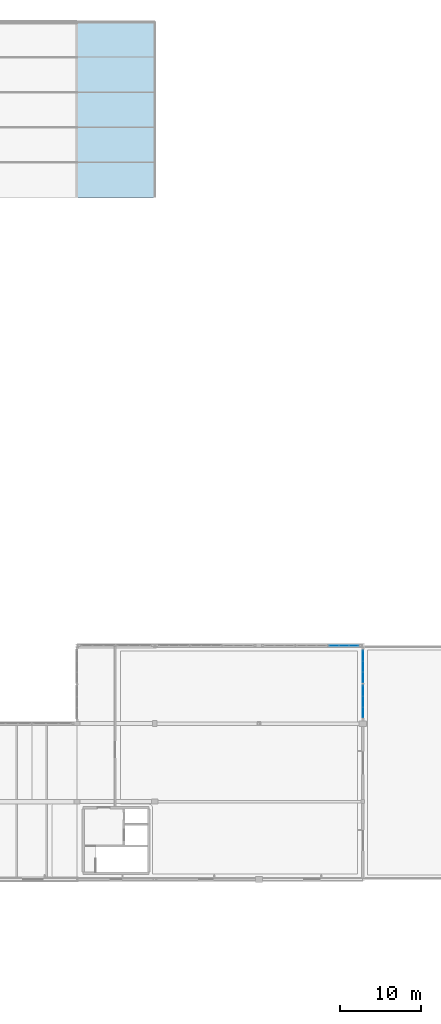
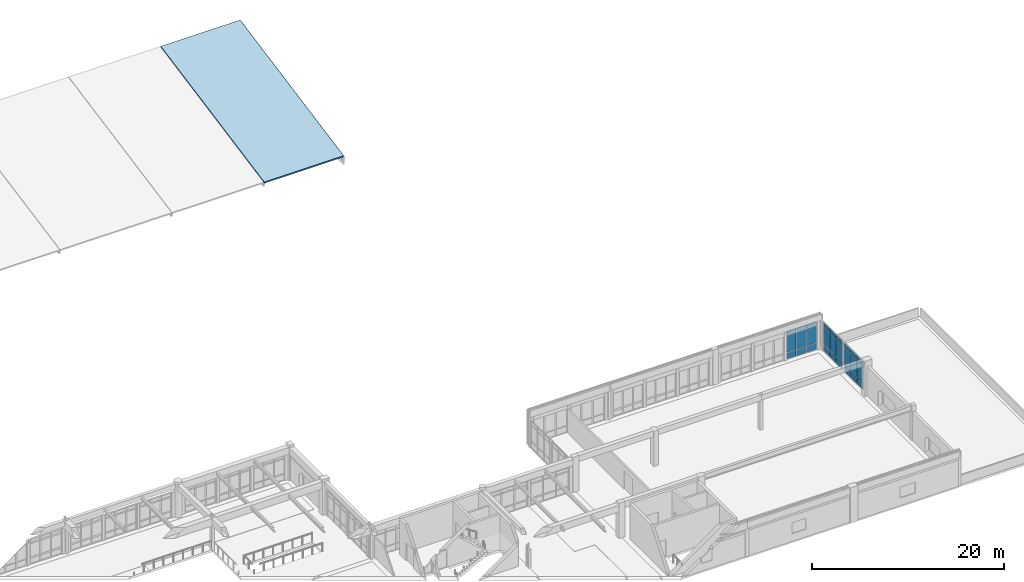
# One storey, part 58 of 80: 27 plates, 1 slab, 4 elements without a shape of their own.
"""IFC4 building model written with IfcOpenShell, lengths in metres."""

from ifc_helpers import new_model, si_unit, direction, frame, origin, origin_2d, place, context, subcontext, project, spatial, polyline, rectangle, outline, extrude, material, layer, layer_set, type_object, element, aggregate, save


model = new_model("IFC4")

# Units and contexts
model_context = context("Model", 3, precision=1e-05, world=origin(), true_north=direction((0.0, 1.0)))
body_context = subcontext(model_context, "Body", "Model", "MODEL_VIEW")
ifc_project = project(units=[si_unit("LENGTHUNIT", "METRE"), si_unit("AREAUNIT", "SQUARE_METRE"), si_unit("VOLUMEUNIT", "CUBIC_METRE"), si_unit("PLANEANGLEUNIT", "RADIAN"), si_unit("MASSUNIT", "GRAM", prefix="KILO")], contexts=[model_context])

# Site, building, storey
site_placement = place(None, origin())
site = spatial("IfcSite", under=ifc_project, at=site_placement, CompositionType="ELEMENT")
building_placement = place(site_placement, origin())
building = spatial("IfcBuilding", under=site, at=building_placement, Name="Fikremerkos Civic Library", CompositionType="ELEMENT")
storey_placement = place(building_placement, frame((0.0, 0.0, 9.89990234375)))
storey = spatial("IfcBuildingStorey", under=building, at=storey_placement, Name="L02", CompositionType="ELEMENT", Elevation=9.89990234375)

# Curtain wall, plates
ifc_material_1 = material(Name="Anodized aluminium Frame", Category="aluminium")
ifc_layer_1 = layer(ifc_material_1, 0.159912109375, Name="Anodized aluminium Frame")
ifc_layer_set_1 = layer_set([ifc_layer_1], Name="Anodized aluminium Frame")
curtain_wall_type_1 = type_object("IfcCurtainWallType", Name="Unitised curtain wall CW-02 3900x3600", PredefinedType="USERDEFINED", material=ifc_layer_set_1)
curtain_wall_1_placement = place(storey_placement, origin())
curtain_wall_1 = element("IfcCurtainWall", 1, at=curtain_wall_1_placement, inside=storey, type_object=curtain_wall_type_1, Name="Unitised curtain wall CW-02 L02 #182", ObjectType="UNITISED CURTAIN WALL", PredefinedType="USERDEFINED")
ifc_material_2 = material(Name="Solar control double glazing", Category="glass")
ifc_layer_2 = layer(ifc_material_2, 0.035888671875, Name="Solar control double glazing")
ifc_layer_set_2 = layer_set([ifc_layer_2], Name="Solar control double glazing")
plate_type_1 = type_object("IfcPlateType", Name="Curtain glazing panel CWP-02 36", PredefinedType="CURTAIN_PANEL", material=ifc_layer_set_2)
plate_1_placement = place(storey_placement, frame((156.46044921875, 40.800048828125, 0.070068359375), z_axis=(0.0, 0.0, 1.0), x_axis=(1.0, 0.0, 0.0)))
plate_1 = element("IfcPlate", 2, at=plate_1_placement, type_object=plate_type_1, Name="CW-02 panel 1.1", PredefinedType="CURTAIN_PANEL", context=body_context, shape_type="SweptSolid", body=[
    extrude(rectangle(XDim=1.132568359375, YDim=0.035888671875, at=origin_2d()), origin(), (0.0, 0.0, 1.0), 0.7451171875),
])
plate_2_placement = place(storey_placement, frame((156.46044921875, 40.800048828125, 0.88525390625), z_axis=(0.0, 0.0, 1.0), x_axis=(1.0, 0.0, 0.0)))
plate_2 = element("IfcPlate", 3, at=plate_2_placement, type_object=plate_type_1, Name="CW-02 panel 1.2", PredefinedType="CURTAIN_PANEL", context=body_context, shape_type="SweptSolid", body=[
    extrude(rectangle(XDim=1.132568359375, YDim=0.035888671875, at=origin_2d()), origin(), (0.0, 0.0, 1.0), 2.199951171875),
])
plate_3_placement = place(storey_placement, frame((156.46044921875, 40.800048828125, 3.1552734375), z_axis=(0.0, 0.0, 1.0), x_axis=(1.0, 0.0, 0.0)))
plate_3 = element("IfcPlate", 4, at=plate_3_placement, type_object=plate_type_1, Name="CW-02 panel 1.3", PredefinedType="CURTAIN_PANEL", context=body_context, shape_type="SweptSolid", body=[
    extrude(rectangle(XDim=1.132568359375, YDim=0.035888671875, at=origin_2d()), origin(), (0.0, 0.0, 1.0), 0.445068359375),
])
plate_4_placement = place(storey_placement, frame((157.66796875, 40.800048828125, 0.070068359375), z_axis=(0.0, 0.0, 1.0), x_axis=(1.0, 0.0, 0.0)))
plate_4 = element("IfcPlate", 5, at=plate_4_placement, type_object=plate_type_1, Name="CW-02 panel 2.1", PredefinedType="CURTAIN_PANEL", context=body_context, shape_type="SweptSolid", body=[
    extrude(rectangle(XDim=1.16259765625, YDim=0.035888671875, at=origin_2d()), origin(), (0.0, 0.0, 1.0), 0.7451171875),
])
plate_5_placement = place(storey_placement, frame((157.66796875, 40.800048828125, 0.88525390625), z_axis=(0.0, 0.0, 1.0), x_axis=(1.0, 0.0, 0.0)))
plate_5 = element("IfcPlate", 6, at=plate_5_placement, type_object=plate_type_1, Name="CW-02 panel 2.2", PredefinedType="CURTAIN_PANEL", context=body_context, shape_type="SweptSolid", body=[
    extrude(rectangle(XDim=1.16259765625, YDim=0.035888671875, at=origin_2d()), origin(), (0.0, 0.0, 1.0), 2.199951171875),
])
plate_6_placement = place(storey_placement, frame((157.66796875, 40.800048828125, 3.1552734375), z_axis=(0.0, 0.0, 1.0), x_axis=(1.0, 0.0, 0.0)))
plate_6 = element("IfcPlate", 7, at=plate_6_placement, type_object=plate_type_1, Name="CW-02 panel 2.3", PredefinedType="CURTAIN_PANEL", context=body_context, shape_type="SweptSolid", body=[
    extrude(rectangle(XDim=1.16259765625, YDim=0.035888671875, at=origin_2d()), origin(), (0.0, 0.0, 1.0), 0.445068359375),
])
plate_7_placement = place(storey_placement, frame((158.875732421875, 40.800048828125, 0.070068359375), z_axis=(0.0, 0.0, 1.0), x_axis=(1.0, 0.0, 0.0)))
plate_7 = element("IfcPlate", 8, at=plate_7_placement, type_object=plate_type_1, Name="CW-02 panel 3.1", PredefinedType="CURTAIN_PANEL", context=body_context, shape_type="SweptSolid", body=[
    extrude(rectangle(XDim=1.132568359375, YDim=0.035888671875, at=origin_2d()), origin(), (0.0, 0.0, 1.0), 0.7451171875),
])
plate_8_placement = place(storey_placement, frame((158.875732421875, 40.800048828125, 0.88525390625), z_axis=(0.0, 0.0, 1.0), x_axis=(1.0, 0.0, 0.0)))
plate_8 = element("IfcPlate", 9, at=plate_8_placement, type_object=plate_type_1, Name="CW-02 panel 3.2", PredefinedType="CURTAIN_PANEL", context=body_context, shape_type="SweptSolid", body=[
    extrude(rectangle(XDim=1.132568359375, YDim=0.035888671875, at=origin_2d()), origin(), (0.0, 0.0, 1.0), 2.199951171875),
])
plate_9_placement = place(storey_placement, frame((158.875732421875, 40.800048828125, 3.1552734375), z_axis=(0.0, 0.0, 1.0), x_axis=(1.0, 0.0, 0.0)))
plate_9 = element("IfcPlate", 10, at=plate_9_placement, type_object=plate_type_1, Name="CW-02 panel 3.3", PredefinedType="CURTAIN_PANEL", context=body_context, shape_type="SweptSolid", body=[
    extrude(rectangle(XDim=1.132568359375, YDim=0.035888671875, at=origin_2d()), origin(), (0.0, 0.0, 1.0), 0.445068359375),
])
aggregate(curtain_wall_1, [plate_1, plate_2, plate_3, plate_4, plate_5, plate_6, plate_7, plate_8, plate_9])

ifc_layer_3 = layer(ifc_material_1, 0.159912109375, Name="Anodized aluminium Frame")
ifc_layer_set_3 = layer_set([ifc_layer_3], Name="Anodized aluminium Frame")
curtain_wall_type_2 = type_object("IfcCurtainWallType", Name="Unitised curtain wall CW-03 4100x3600", PredefinedType="USERDEFINED", material=ifc_layer_set_3)
curtain_wall_2_placement = place(storey_placement, origin())
curtain_wall_2 = element("IfcCurtainWall", 11, at=curtain_wall_2_placement, inside=storey, type_object=curtain_wall_type_2, Name="Unitised curtain wall CW-03 L02 #183", ObjectType="UNITISED CURTAIN WALL", PredefinedType="USERDEFINED")
ifc_material_3 = material(Name="Insulated aluminium spandrel", Category="aluminium")
ifc_layer_4 = layer(ifc_material_3, 0.044921875, Name="Insulated aluminium spandrel")
ifc_layer_set_4 = layer_set([ifc_layer_4], Name="Insulated aluminium spandrel")
plate_type_2 = type_object("IfcPlateType", Name="Curtain spandrel panel CSP-01 45", PredefinedType="CURTAIN_PANEL", material=ifc_layer_set_4)
plate_10_placement = place(storey_placement, frame((160.0, 39.547607421875, 0.065185546875), z_axis=(0.0, 0.0, 1.0), x_axis=(0.0, -1.0, 0.0)))
plate_10 = element("IfcPlate", 12, at=plate_10_placement, type_object=plate_type_2, Name="CW-03 panel 1.1", PredefinedType="CURTAIN_PANEL", context=body_context, shape_type="SweptSolid", body=[
    extrude(rectangle(XDim=1.2490234375, YDim=0.044921875, at=origin_2d()), origin(), (0.0, 0.0, 1.0), 0.75244140625),
])
plate_11_placement = place(storey_placement, frame((160.0, 39.547607421875, 0.882568359375), z_axis=(0.0, 0.0, 1.0), x_axis=(0.0, -1.0, 0.0)))
plate_11 = element("IfcPlate", 13, at=plate_11_placement, type_object=plate_type_2, Name="CW-03 panel 1.2", PredefinedType="CURTAIN_PANEL", context=body_context, shape_type="SweptSolid", body=[
    extrude(rectangle(XDim=1.2490234375, YDim=0.044921875, at=origin_2d()), origin(), (0.0, 0.0, 1.0), 2.2548828125),
])
plate_12_placement = place(storey_placement, frame((160.0, 39.547607421875, 3.20263671875), z_axis=(0.0, 0.0, 1.0), x_axis=(0.0, -1.0, 0.0)))
plate_12 = element("IfcPlate", 14, at=plate_12_placement, type_object=plate_type_2, Name="CW-03 panel 1.3", PredefinedType="CURTAIN_PANEL", context=body_context, shape_type="SweptSolid", body=[
    extrude(rectangle(XDim=1.2490234375, YDim=0.044921875, at=origin_2d()), origin(), (0.0, 0.0, 1.0), 0.452392578125),
])
plate_13_placement = place(storey_placement, frame((160.0, 38.223388671875, 0.065185546875), z_axis=(0.0, 0.0, 1.0), x_axis=(0.0, -1.0, 0.0)))
plate_13 = element("IfcPlate", 15, at=plate_13_placement, type_object=plate_type_2, Name="CW-03 panel 2.1", PredefinedType="CURTAIN_PANEL", context=body_context, shape_type="SweptSolid", body=[
    extrude(rectangle(XDim=1.279052734375, YDim=0.044921875, at=origin_2d()), origin(), (0.0, 0.0, 1.0), 0.75244140625),
])
plate_14_placement = place(storey_placement, frame((160.0, 38.223388671875, 0.882568359375), z_axis=(0.0, 0.0, 1.0), x_axis=(0.0, -1.0, 0.0)))
plate_14 = element("IfcPlate", 16, at=plate_14_placement, type_object=plate_type_2, Name="CW-03 panel 2.2", PredefinedType="CURTAIN_PANEL", context=body_context, shape_type="SweptSolid", body=[
    extrude(rectangle(XDim=1.279052734375, YDim=0.044921875, at=origin_2d()), origin(), (0.0, 0.0, 1.0), 2.2548828125),
])
plate_15_placement = place(storey_placement, frame((160.0, 38.223388671875, 3.20263671875), z_axis=(0.0, 0.0, 1.0), x_axis=(0.0, -1.0, 0.0)))
plate_15 = element("IfcPlate", 17, at=plate_15_placement, type_object=plate_type_2, Name="CW-03 panel 2.3", PredefinedType="CURTAIN_PANEL", context=body_context, shape_type="SweptSolid", body=[
    extrude(rectangle(XDim=1.279052734375, YDim=0.044921875, at=origin_2d()), origin(), (0.0, 0.0, 1.0), 0.452392578125),
])
plate_16_placement = place(storey_placement, frame((160.0, 36.8994140625, 0.065185546875), z_axis=(0.0, 0.0, 1.0), x_axis=(0.0, -1.0, 0.0)))
plate_16 = element("IfcPlate", 18, at=plate_16_placement, type_object=plate_type_2, Name="CW-03 panel 3.1", PredefinedType="CURTAIN_PANEL", context=body_context, shape_type="SweptSolid", body=[
    extrude(rectangle(XDim=1.2490234375, YDim=0.044921875, at=origin_2d()), origin(), (0.0, 0.0, 1.0), 0.75244140625),
])
plate_17_placement = place(storey_placement, frame((160.0, 36.8994140625, 0.882568359375), z_axis=(0.0, 0.0, 1.0), x_axis=(0.0, -1.0, 0.0)))
plate_17 = element("IfcPlate", 19, at=plate_17_placement, type_object=plate_type_2, Name="CW-03 panel 3.2", PredefinedType="CURTAIN_PANEL", context=body_context, shape_type="SweptSolid", body=[
    extrude(rectangle(XDim=1.2490234375, YDim=0.044921875, at=origin_2d()), origin(), (0.0, 0.0, 1.0), 2.2548828125),
])
plate_18_placement = place(storey_placement, frame((160.0, 36.8994140625, 3.20263671875), z_axis=(0.0, 0.0, 1.0), x_axis=(0.0, -1.0, 0.0)))
plate_18 = element("IfcPlate", 20, at=plate_18_placement, type_object=plate_type_2, Name="CW-03 panel 3.3", PredefinedType="CURTAIN_PANEL", context=body_context, shape_type="SweptSolid", body=[
    extrude(rectangle(XDim=1.2490234375, YDim=0.044921875, at=origin_2d()), origin(), (0.0, 0.0, 1.0), 0.452392578125),
])
aggregate(curtain_wall_2, [plate_10, plate_11, plate_12, plate_13, plate_14, plate_15, plate_16, plate_17, plate_18])

ifc_layer_5 = layer(ifc_material_1, 0.159912109375, Name="Anodized aluminium Frame")
ifc_layer_set_5 = layer_set([ifc_layer_5], Name="Anodized aluminium Frame")
curtain_wall_type_3 = type_object("IfcCurtainWallType", Name="Unitised curtain wall CW-04 3400x3600", PredefinedType="USERDEFINED", material=ifc_layer_set_5)
curtain_wall_3_placement = place(storey_placement, origin())
curtain_wall_3 = element("IfcCurtainWall", 21, at=curtain_wall_3_placement, inside=storey, type_object=curtain_wall_type_3, Name="Unitised curtain wall CW-04 L02 #184", ObjectType="UNITISED CURTAIN WALL", PredefinedType="USERDEFINED")
ifc_layer_6 = layer(ifc_material_3, 0.054931640625, Name="Insulated aluminium spandrel")
ifc_layer_set_6 = layer_set([ifc_layer_6], Name="Insulated aluminium spandrel")
plate_type_3 = type_object("IfcPlateType", Name="Curtain spandrel panel CSP-02 55", PredefinedType="CURTAIN_PANEL", material=ifc_layer_set_6)
plate_19_placement = place(storey_placement, frame((160.0, 35.23046875, 0.065185546875), z_axis=(0.0, 0.0, 1.0), x_axis=(0.0, -1.0, 0.0)))
plate_19 = element("IfcPlate", 22, at=plate_19_placement, type_object=plate_type_3, Name="CW-04 panel 1.1", PredefinedType="CURTAIN_PANEL", context=body_context, shape_type="SweptSolid", body=[
    extrude(rectangle(XDim=1.2490234375, YDim=0.054931640625, at=origin_2d()), origin(), (0.0, 0.0, 1.0), 0.75244140625),
])
plate_20_placement = place(storey_placement, frame((160.0, 35.23046875, 0.882568359375), z_axis=(0.0, 0.0, 1.0), x_axis=(0.0, -1.0, 0.0)))
plate_20 = element("IfcPlate", 23, at=plate_20_placement, type_object=plate_type_3, Name="CW-04 panel 1.2", PredefinedType="CURTAIN_PANEL", context=body_context, shape_type="SweptSolid", body=[
    extrude(rectangle(XDim=1.2490234375, YDim=0.054931640625, at=origin_2d()), origin(), (0.0, 0.0, 1.0), 2.2548828125),
])
plate_21_placement = place(storey_placement, frame((160.0, 35.23046875, 3.20263671875), z_axis=(0.0, 0.0, 1.0), x_axis=(0.0, -1.0, 0.0)))
plate_21 = element("IfcPlate", 24, at=plate_21_placement, type_object=plate_type_3, Name="CW-04 panel 1.3", PredefinedType="CURTAIN_PANEL", context=body_context, shape_type="SweptSolid", body=[
    extrude(rectangle(XDim=1.2490234375, YDim=0.054931640625, at=origin_2d()), origin(), (0.0, 0.0, 1.0), 0.452392578125),
])
plate_22_placement = place(storey_placement, frame((160.0, 33.906494140625, 0.065185546875), z_axis=(0.0, 0.0, 1.0), x_axis=(0.0, -1.0, 0.0)))
plate_22 = element("IfcPlate", 25, at=plate_22_placement, type_object=plate_type_3, Name="CW-04 panel 2.1", PredefinedType="CURTAIN_PANEL", context=body_context, shape_type="SweptSolid", body=[
    extrude(rectangle(XDim=1.279052734375, YDim=0.054931640625, at=origin_2d()), origin(), (0.0, 0.0, 1.0), 0.75244140625),
])
plate_23_placement = place(storey_placement, frame((160.0, 33.906494140625, 0.882568359375), z_axis=(0.0, 0.0, 1.0), x_axis=(0.0, -1.0, 0.0)))
plate_23 = element("IfcPlate", 26, at=plate_23_placement, type_object=plate_type_3, Name="CW-04 panel 2.2", PredefinedType="CURTAIN_PANEL", context=body_context, shape_type="SweptSolid", body=[
    extrude(rectangle(XDim=1.279052734375, YDim=0.054931640625, at=origin_2d()), origin(), (0.0, 0.0, 1.0), 2.2548828125),
])
plate_24_placement = place(storey_placement, frame((160.0, 33.906494140625, 3.20263671875), z_axis=(0.0, 0.0, 1.0), x_axis=(0.0, -1.0, 0.0)))
plate_24 = element("IfcPlate", 27, at=plate_24_placement, type_object=plate_type_3, Name="CW-04 panel 2.3", PredefinedType="CURTAIN_PANEL", context=body_context, shape_type="SweptSolid", body=[
    extrude(rectangle(XDim=1.279052734375, YDim=0.054931640625, at=origin_2d()), origin(), (0.0, 0.0, 1.0), 0.452392578125),
])
plate_25_placement = place(storey_placement, frame((160.0, 32.58251953125, 0.065185546875), z_axis=(0.0, 0.0, 1.0), x_axis=(0.0, -1.0, 0.0)))
plate_25 = element("IfcPlate", 28, at=plate_25_placement, type_object=plate_type_3, Name="CW-04 panel 3.1", PredefinedType="CURTAIN_PANEL", context=body_context, shape_type="SweptSolid", body=[
    extrude(rectangle(XDim=1.2490234375, YDim=0.054931640625, at=origin_2d()), origin(), (0.0, 0.0, 1.0), 0.75244140625),
])
plate_26_placement = place(storey_placement, frame((160.0, 32.58251953125, 0.882568359375), z_axis=(0.0, 0.0, 1.0), x_axis=(0.0, -1.0, 0.0)))
plate_26 = element("IfcPlate", 29, at=plate_26_placement, type_object=plate_type_3, Name="CW-04 panel 3.2", PredefinedType="CURTAIN_PANEL", context=body_context, shape_type="SweptSolid", body=[
    extrude(rectangle(XDim=1.2490234375, YDim=0.054931640625, at=origin_2d()), origin(), (0.0, 0.0, 1.0), 2.2548828125),
])
plate_27_placement = place(storey_placement, frame((160.0, 32.58251953125, 3.20263671875), z_axis=(0.0, 0.0, 1.0), x_axis=(0.0, -1.0, 0.0)))
plate_27 = element("IfcPlate", 30, at=plate_27_placement, type_object=plate_type_3, Name="CW-04 panel 3.3", PredefinedType="CURTAIN_PANEL", context=body_context, shape_type="SweptSolid", body=[
    extrude(rectangle(XDim=1.2490234375, YDim=0.054931640625, at=origin_2d()), origin(), (0.0, 0.0, 1.0), 0.452392578125),
])
aggregate(curtain_wall_3, [plate_19, plate_20, plate_21, plate_22, plate_23, plate_24, plate_25, plate_26, plate_27])

# Roof, slab
ifc_material_4 = material(Name="Concrete C40/50", Category="concrete")
ifc_layer_7 = layer(ifc_material_4, 0.199951171875, Name="Concrete C40/50")
ifc_layer_set_7 = layer_set([ifc_layer_7], Name="Concrete C40/50")
roof_type = type_object("IfcRoofType", Name="Children pavilion north-light shed roof RF-SH", PredefinedType="SHED_ROOF", material=ifc_layer_set_7)
roof_placement = place(storey_placement, origin())
roof = element("IfcRoof", 31, at=roof_placement, inside=storey, type_object=roof_type, Name="Children pavilion north-light shed roof #5", PredefinedType="SHED_ROOF")
ifc_layer_8 = layer(ifc_material_4, 0.199951171875, Name="Concrete C40/50")
ifc_layer_set_8 = layer_set([ifc_layer_8], Name="Concrete C40/50")
slab_type = type_object("IfcSlabType", Name="Wing roof slab WRS-05 200", PredefinedType="ROOF", material=ifc_layer_set_8)
slab_placement = place(storey_placement, frame((124.820068359375, 96.0, 0.0), z_axis=(0.0, -0.190813234722, 0.981626359393), x_axis=(1.0, 0.0, 0.0)))
slab = element("IfcSlab", 32, at=slab_placement, type_object=slab_type, Name="Wing roof slab WRS-05 children pavilion bay 5", PredefinedType="ROOF", context=body_context, shape_type="SweptSolid", body=[
    extrude(outline(polyline([(0.0, 0.0), (9.559814453125, 0.0), (9.559814453125, 22.004398567303454), (0.0, 22.004398567303454), (0.0, 0.0)])), origin(), (0.0, 0.0, -1.0), 0.199951171875),
])
aggregate(roof, [slab])

save(model, "model.ifc")
